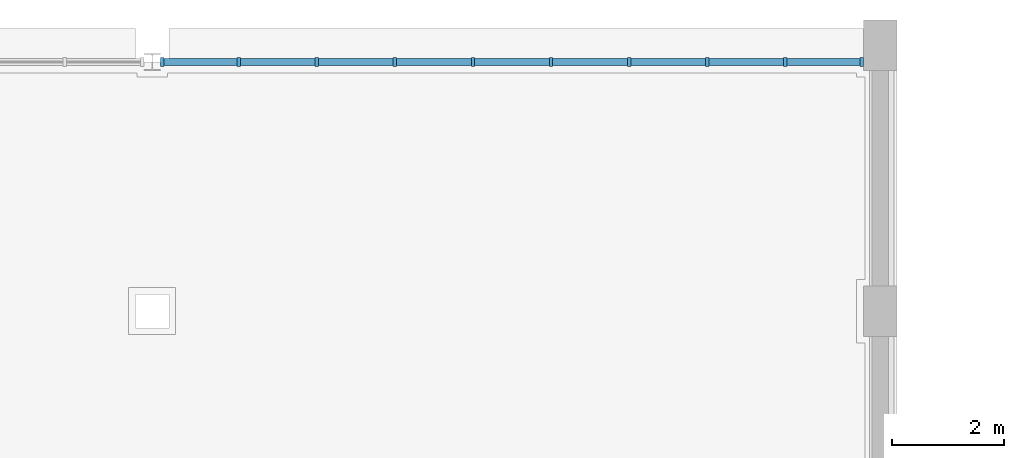
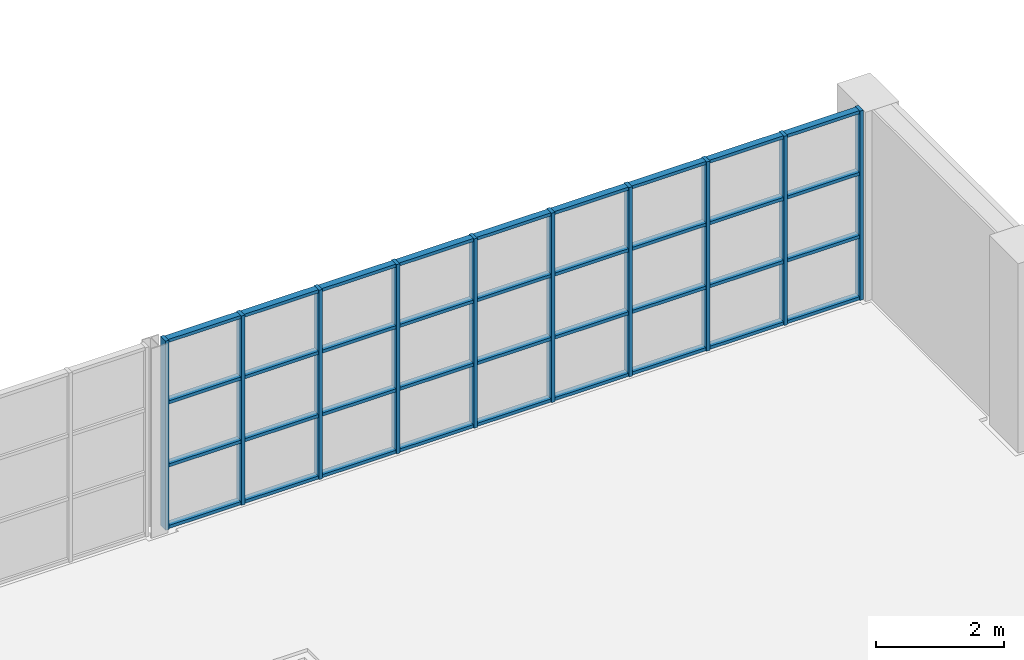
# One storey, part 27 of 82: 46 members, 1 element without a shape of its own.
"""IFC4 building model written with IfcOpenShell, lengths in metres."""

from ifc_helpers import new_model, si_unit, direction, frame, origin, origin_2d, place, context, subcontext, project, spatial, rectangle, extrude, material, material_profile, profile_set, type_object, element, aggregate, save


model = new_model("IFC4")

# Units and contexts
model_context = context("Model", 3, precision=1e-05, world=origin(), true_north=direction((0.0, 1.0)))
body_context = subcontext(model_context, "Body", "Model", "MODEL_VIEW")
ifc_project = project(units=[si_unit("LENGTHUNIT", "METRE"), si_unit("AREAUNIT", "SQUARE_METRE"), si_unit("VOLUMEUNIT", "CUBIC_METRE"), si_unit("PLANEANGLEUNIT", "RADIAN"), si_unit("MASSUNIT", "GRAM", prefix="KILO")], contexts=[model_context])

# Site, building, storey
site_placement = place(None, origin())
site = spatial("IfcSite", under=ifc_project, at=site_placement, CompositionType="ELEMENT")
building_placement = place(site_placement, origin())
building = spatial("IfcBuilding", under=site, at=building_placement, Name="Elbe Cascade School", CompositionType="ELEMENT")
storey_placement = place(building_placement, frame((0.0, 0.0, 4.5)))
storey = spatial("IfcBuildingStorey", under=building, at=storey_placement, Name="L01", CompositionType="ELEMENT", Elevation=4.5)

# Curtain wall, members
ifc_material_1 = material(Name="Glass - double glazed low-E", Category="glass")
curtain_wall_type = type_object("IfcCurtainWallType", Name="Hall gable curtain wall", PredefinedType="NOTDEFINED", material=ifc_material_1)
curtain_wall_placement = place(storey_placement, origin())
curtain_wall = element("IfcCurtainWall", 1, at=curtain_wall_placement, inside=storey, type_object=curtain_wall_type, Name="Gable curtain wall N4", PredefinedType="NOTDEFINED")
ifc_material_2 = material(Name="Aluminium - bronze anodised", Category="aluminium")
ifc_material_profile_1 = material_profile(ifc_material_2, rectangle(XDim=0.159912109375, YDim=0.06005859375, at=origin_2d()), Name="Alu 60x160")
ifc_profile_set_1 = profile_set([ifc_material_profile_1], Name="Aluminium - bronze anodised")
member_type_1 = type_object("IfcMemberType", Name="Hall gable mullion 60x160", PredefinedType="MULLION", material=ifc_profile_set_1)
member_1_placement = place(storey_placement, frame((47.179931640625, 69.199951171875, 0.0), z_axis=(0.0, 0.0, 1.0), x_axis=(0.0, 1.0, 0.0)))
member_1 = element("IfcMember", 2, at=member_1_placement, type_object=member_type_1, Name="CW6 mullion 1", PredefinedType="MULLION", context=body_context, shape_type="SweptSolid", body=[
    extrude(rectangle(XDim=0.159912109375, YDim=0.06005859375, at=origin_2d()), origin(), (0.0, 0.0, 1.0), 3.60009765625),
])
member_2_placement = place(storey_placement, frame((48.54443359375, 69.199951171875, 0.0), z_axis=(0.0, 0.0, 1.0), x_axis=(0.0, 1.0, 0.0)))
member_2 = element("IfcMember", 3, at=member_2_placement, type_object=member_type_1, Name="CW6 mullion 2", PredefinedType="MULLION", context=body_context, shape_type="SweptSolid", body=[
    extrude(rectangle(XDim=0.159912109375, YDim=0.06005859375, at=origin_2d()), origin(), (0.0, 0.0, 1.0), 3.60009765625),
])
member_3_placement = place(storey_placement, frame((49.93896484375, 69.199951171875, 0.0), z_axis=(0.0, 0.0, 1.0), x_axis=(0.0, 1.0, 0.0)))
member_3 = element("IfcMember", 4, at=member_3_placement, type_object=member_type_1, Name="CW6 mullion 3", PredefinedType="MULLION", context=body_context, shape_type="SweptSolid", body=[
    extrude(rectangle(XDim=0.159912109375, YDim=0.06005859375, at=origin_2d()), origin(), (0.0, 0.0, 1.0), 3.60009765625),
])
member_4_placement = place(storey_placement, frame((51.333251953125, 69.199951171875, 0.0), z_axis=(0.0, 0.0, 1.0), x_axis=(0.0, 1.0, 0.0)))
member_4 = element("IfcMember", 5, at=member_4_placement, type_object=member_type_1, Name="CW6 mullion 4", PredefinedType="MULLION", context=body_context, shape_type="SweptSolid", body=[
    extrude(rectangle(XDim=0.159912109375, YDim=0.06005859375, at=origin_2d()), origin(), (0.0, 0.0, 1.0), 3.60009765625),
])
member_5_placement = place(storey_placement, frame((52.727783203125, 69.199951171875, 0.0), z_axis=(0.0, 0.0, 1.0), x_axis=(0.0, 1.0, 0.0)))
member_5 = element("IfcMember", 6, at=member_5_placement, type_object=member_type_1, Name="CW6 mullion 5", PredefinedType="MULLION", context=body_context, shape_type="SweptSolid", body=[
    extrude(rectangle(XDim=0.159912109375, YDim=0.06005859375, at=origin_2d()), origin(), (0.0, 0.0, 1.0), 3.60009765625),
])
member_6_placement = place(storey_placement, frame((54.122314453125, 69.199951171875, 0.0), z_axis=(0.0, 0.0, 1.0), x_axis=(0.0, 1.0, 0.0)))
member_6 = element("IfcMember", 7, at=member_6_placement, type_object=member_type_1, Name="CW6 mullion 6", PredefinedType="MULLION", context=body_context, shape_type="SweptSolid", body=[
    extrude(rectangle(XDim=0.159912109375, YDim=0.06005859375, at=origin_2d()), origin(), (0.0, 0.0, 1.0), 3.60009765625),
])
member_7_placement = place(storey_placement, frame((55.5166015625, 69.199951171875, 0.0), z_axis=(0.0, 0.0, 1.0), x_axis=(0.0, 1.0, 0.0)))
member_7 = element("IfcMember", 8, at=member_7_placement, type_object=member_type_1, Name="CW6 mullion 7", PredefinedType="MULLION", context=body_context, shape_type="SweptSolid", body=[
    extrude(rectangle(XDim=0.159912109375, YDim=0.06005859375, at=origin_2d()), origin(), (0.0, 0.0, 1.0), 3.60009765625),
])
member_8_placement = place(storey_placement, frame((56.9111328125, 69.199951171875, 0.0), z_axis=(0.0, 0.0, 1.0), x_axis=(0.0, 1.0, 0.0)))
member_8 = element("IfcMember", 9, at=member_8_placement, type_object=member_type_1, Name="CW6 mullion 8", PredefinedType="MULLION", context=body_context, shape_type="SweptSolid", body=[
    extrude(rectangle(XDim=0.159912109375, YDim=0.06005859375, at=origin_2d()), origin(), (0.0, 0.0, 1.0), 3.60009765625),
])
member_9_placement = place(storey_placement, frame((58.3056640625, 69.199951171875, 0.0), z_axis=(0.0, 0.0, 1.0), x_axis=(0.0, 1.0, 0.0)))
member_9 = element("IfcMember", 10, at=member_9_placement, type_object=member_type_1, Name="CW6 mullion 9", PredefinedType="MULLION", context=body_context, shape_type="SweptSolid", body=[
    extrude(rectangle(XDim=0.159912109375, YDim=0.06005859375, at=origin_2d()), origin(), (0.0, 0.0, 1.0), 3.60009765625),
])
member_10_placement = place(storey_placement, frame((59.669921875, 69.199951171875, 0.0), z_axis=(0.0, 0.0, 1.0), x_axis=(0.0, 1.0, 0.0)))
member_10 = element("IfcMember", 11, at=member_10_placement, type_object=member_type_1, Name="CW6 mullion 10", PredefinedType="MULLION", context=body_context, shape_type="SweptSolid", body=[
    extrude(rectangle(XDim=0.159912109375, YDim=0.06005859375, at=origin_2d()), origin(), (0.0, 0.0, 1.0), 3.60009765625),
])
ifc_material_3 = material(Name="Aluminium - bronze anodised", Category="aluminium")
ifc_material_profile_2 = material_profile(ifc_material_3, rectangle(XDim=0.1201171875, YDim=0.06005859375, at=origin_2d()), Name="Alu 60x120")
ifc_profile_set_2 = profile_set([ifc_material_profile_2], Name="Aluminium - bronze anodised")
member_type_2 = type_object("IfcMemberType", Name="Hall gable transom 60x120", PredefinedType="USERDEFINED", material=ifc_profile_set_2)
member_11_placement = place(storey_placement, frame((47.2099609375, 69.199951171875, 0.030029296875), z_axis=(1.0, 0.0, 0.0), x_axis=(0.0, 1.0, 0.0)))
member_11 = element("IfcMember", 12, at=member_11_placement, type_object=member_type_2, Name="CW6 transom 1.1", ObjectType="TRANSOM", PredefinedType="USERDEFINED", context=body_context, shape_type="SweptSolid", body=[
    extrude(rectangle(XDim=0.1201171875, YDim=0.06005859375, at=origin_2d()), origin(), (0.0, 0.0, 1.0), 1.304443359375),
])
member_12_placement = place(storey_placement, frame((47.2099609375, 69.199951171875, 1.199951171875), z_axis=(1.0, 0.0, 0.0), x_axis=(0.0, 1.0, 0.0)))
member_12 = element("IfcMember", 13, at=member_12_placement, type_object=member_type_2, Name="CW6 transom 1.2", ObjectType="TRANSOM", PredefinedType="USERDEFINED", context=body_context, shape_type="SweptSolid", body=[
    extrude(rectangle(XDim=0.1201171875, YDim=0.06005859375, at=origin_2d()), origin(), (0.0, 0.0, 1.0), 1.304443359375),
])
member_13_placement = place(storey_placement, frame((47.2099609375, 69.199951171875, 2.39990234375), z_axis=(1.0, 0.0, 0.0), x_axis=(0.0, 1.0, 0.0)))
member_13 = element("IfcMember", 14, at=member_13_placement, type_object=member_type_2, Name="CW6 transom 1.3", ObjectType="TRANSOM", PredefinedType="USERDEFINED", context=body_context, shape_type="SweptSolid", body=[
    extrude(rectangle(XDim=0.1201171875, YDim=0.06005859375, at=origin_2d()), origin(), (0.0, 0.0, 1.0), 1.304443359375),
])
member_14_placement = place(storey_placement, frame((47.2099609375, 69.199951171875, 3.570068359375), z_axis=(1.0, 0.0, 0.0), x_axis=(0.0, 1.0, 0.0)))
member_14 = element("IfcMember", 15, at=member_14_placement, type_object=member_type_2, Name="CW6 transom 1.4", ObjectType="TRANSOM", PredefinedType="USERDEFINED", context=body_context, shape_type="SweptSolid", body=[
    extrude(rectangle(XDim=0.1201171875, YDim=0.06005859375, at=origin_2d()), origin(), (0.0, 0.0, 1.0), 1.304443359375),
])
member_15_placement = place(storey_placement, frame((48.574462890625, 69.199951171875, 0.030029296875), z_axis=(1.0, 0.0, 0.0), x_axis=(0.0, 1.0, 0.0)))
member_15 = element("IfcMember", 16, at=member_15_placement, type_object=member_type_2, Name="CW6 transom 2.1", ObjectType="TRANSOM", PredefinedType="USERDEFINED", context=body_context, shape_type="SweptSolid", body=[
    extrude(rectangle(XDim=0.1201171875, YDim=0.06005859375, at=origin_2d()), origin(), (0.0, 0.0, 1.0), 1.33447265625),
])
member_16_placement = place(storey_placement, frame((48.574462890625, 69.199951171875, 1.199951171875), z_axis=(1.0, 0.0, 0.0), x_axis=(0.0, 1.0, 0.0)))
member_16 = element("IfcMember", 17, at=member_16_placement, type_object=member_type_2, Name="CW6 transom 2.2", ObjectType="TRANSOM", PredefinedType="USERDEFINED", context=body_context, shape_type="SweptSolid", body=[
    extrude(rectangle(XDim=0.1201171875, YDim=0.06005859375, at=origin_2d()), origin(), (0.0, 0.0, 1.0), 1.33447265625),
])
member_17_placement = place(storey_placement, frame((48.574462890625, 69.199951171875, 2.39990234375), z_axis=(1.0, 0.0, 0.0), x_axis=(0.0, 1.0, 0.0)))
member_17 = element("IfcMember", 18, at=member_17_placement, type_object=member_type_2, Name="CW6 transom 2.3", ObjectType="TRANSOM", PredefinedType="USERDEFINED", context=body_context, shape_type="SweptSolid", body=[
    extrude(rectangle(XDim=0.1201171875, YDim=0.06005859375, at=origin_2d()), origin(), (0.0, 0.0, 1.0), 1.33447265625),
])
member_18_placement = place(storey_placement, frame((48.574462890625, 69.199951171875, 3.570068359375), z_axis=(1.0, 0.0, 0.0), x_axis=(0.0, 1.0, 0.0)))
member_18 = element("IfcMember", 19, at=member_18_placement, type_object=member_type_2, Name="CW6 transom 2.4", ObjectType="TRANSOM", PredefinedType="USERDEFINED", context=body_context, shape_type="SweptSolid", body=[
    extrude(rectangle(XDim=0.1201171875, YDim=0.06005859375, at=origin_2d()), origin(), (0.0, 0.0, 1.0), 1.33447265625),
])
member_19_placement = place(storey_placement, frame((49.968994140625, 69.199951171875, 0.030029296875), z_axis=(1.0, 0.0, 0.0), x_axis=(0.0, 1.0, 0.0)))
member_19 = element("IfcMember", 20, at=member_19_placement, type_object=member_type_2, Name="CW6 transom 3.1", ObjectType="TRANSOM", PredefinedType="USERDEFINED", context=body_context, shape_type="SweptSolid", body=[
    extrude(rectangle(XDim=0.1201171875, YDim=0.06005859375, at=origin_2d()), origin(), (0.0, 0.0, 1.0), 1.334228515625),
])
member_20_placement = place(storey_placement, frame((49.968994140625, 69.199951171875, 1.199951171875), z_axis=(1.0, 0.0, 0.0), x_axis=(0.0, 1.0, 0.0)))
member_20 = element("IfcMember", 21, at=member_20_placement, type_object=member_type_2, Name="CW6 transom 3.2", ObjectType="TRANSOM", PredefinedType="USERDEFINED", context=body_context, shape_type="SweptSolid", body=[
    extrude(rectangle(XDim=0.1201171875, YDim=0.06005859375, at=origin_2d()), origin(), (0.0, 0.0, 1.0), 1.334228515625),
])
member_21_placement = place(storey_placement, frame((49.968994140625, 69.199951171875, 2.39990234375), z_axis=(1.0, 0.0, 0.0), x_axis=(0.0, 1.0, 0.0)))
member_21 = element("IfcMember", 22, at=member_21_placement, type_object=member_type_2, Name="CW6 transom 3.3", ObjectType="TRANSOM", PredefinedType="USERDEFINED", context=body_context, shape_type="SweptSolid", body=[
    extrude(rectangle(XDim=0.1201171875, YDim=0.06005859375, at=origin_2d()), origin(), (0.0, 0.0, 1.0), 1.334228515625),
])
member_22_placement = place(storey_placement, frame((49.968994140625, 69.199951171875, 3.570068359375), z_axis=(1.0, 0.0, 0.0), x_axis=(0.0, 1.0, 0.0)))
member_22 = element("IfcMember", 23, at=member_22_placement, type_object=member_type_2, Name="CW6 transom 3.4", ObjectType="TRANSOM", PredefinedType="USERDEFINED", context=body_context, shape_type="SweptSolid", body=[
    extrude(rectangle(XDim=0.1201171875, YDim=0.06005859375, at=origin_2d()), origin(), (0.0, 0.0, 1.0), 1.334228515625),
])
member_23_placement = place(storey_placement, frame((51.36328125, 69.199951171875, 0.030029296875), z_axis=(1.0, 0.0, 0.0), x_axis=(0.0, 1.0, 0.0)))
member_23 = element("IfcMember", 24, at=member_23_placement, type_object=member_type_2, Name="CW6 transom 4.1", ObjectType="TRANSOM", PredefinedType="USERDEFINED", context=body_context, shape_type="SweptSolid", body=[
    extrude(rectangle(XDim=0.1201171875, YDim=0.06005859375, at=origin_2d()), origin(), (0.0, 0.0, 1.0), 1.33447265625),
])
member_24_placement = place(storey_placement, frame((51.36328125, 69.199951171875, 1.199951171875), z_axis=(1.0, 0.0, 0.0), x_axis=(0.0, 1.0, 0.0)))
member_24 = element("IfcMember", 25, at=member_24_placement, type_object=member_type_2, Name="CW6 transom 4.2", ObjectType="TRANSOM", PredefinedType="USERDEFINED", context=body_context, shape_type="SweptSolid", body=[
    extrude(rectangle(XDim=0.1201171875, YDim=0.06005859375, at=origin_2d()), origin(), (0.0, 0.0, 1.0), 1.33447265625),
])
member_25_placement = place(storey_placement, frame((51.36328125, 69.199951171875, 2.39990234375), z_axis=(1.0, 0.0, 0.0), x_axis=(0.0, 1.0, 0.0)))
member_25 = element("IfcMember", 26, at=member_25_placement, type_object=member_type_2, Name="CW6 transom 4.3", ObjectType="TRANSOM", PredefinedType="USERDEFINED", context=body_context, shape_type="SweptSolid", body=[
    extrude(rectangle(XDim=0.1201171875, YDim=0.06005859375, at=origin_2d()), origin(), (0.0, 0.0, 1.0), 1.33447265625),
])
member_26_placement = place(storey_placement, frame((51.36328125, 69.199951171875, 3.570068359375), z_axis=(1.0, 0.0, 0.0), x_axis=(0.0, 1.0, 0.0)))
member_26 = element("IfcMember", 27, at=member_26_placement, type_object=member_type_2, Name="CW6 transom 4.4", ObjectType="TRANSOM", PredefinedType="USERDEFINED", context=body_context, shape_type="SweptSolid", body=[
    extrude(rectangle(XDim=0.1201171875, YDim=0.06005859375, at=origin_2d()), origin(), (0.0, 0.0, 1.0), 1.33447265625),
])
member_27_placement = place(storey_placement, frame((52.7578125, 69.199951171875, 0.030029296875), z_axis=(1.0, 0.0, 0.0), x_axis=(0.0, 1.0, 0.0)))
member_27 = element("IfcMember", 28, at=member_27_placement, type_object=member_type_2, Name="CW6 transom 5.1", ObjectType="TRANSOM", PredefinedType="USERDEFINED", context=body_context, shape_type="SweptSolid", body=[
    extrude(rectangle(XDim=0.1201171875, YDim=0.06005859375, at=origin_2d()), origin(), (0.0, 0.0, 1.0), 1.33447265625),
])
member_28_placement = place(storey_placement, frame((52.7578125, 69.199951171875, 1.199951171875), z_axis=(1.0, 0.0, 0.0), x_axis=(0.0, 1.0, 0.0)))
member_28 = element("IfcMember", 29, at=member_28_placement, type_object=member_type_2, Name="CW6 transom 5.2", ObjectType="TRANSOM", PredefinedType="USERDEFINED", context=body_context, shape_type="SweptSolid", body=[
    extrude(rectangle(XDim=0.1201171875, YDim=0.06005859375, at=origin_2d()), origin(), (0.0, 0.0, 1.0), 1.33447265625),
])
member_29_placement = place(storey_placement, frame((52.7578125, 69.199951171875, 2.39990234375), z_axis=(1.0, 0.0, 0.0), x_axis=(0.0, 1.0, 0.0)))
member_29 = element("IfcMember", 30, at=member_29_placement, type_object=member_type_2, Name="CW6 transom 5.3", ObjectType="TRANSOM", PredefinedType="USERDEFINED", context=body_context, shape_type="SweptSolid", body=[
    extrude(rectangle(XDim=0.1201171875, YDim=0.06005859375, at=origin_2d()), origin(), (0.0, 0.0, 1.0), 1.33447265625),
])
member_30_placement = place(storey_placement, frame((52.7578125, 69.199951171875, 3.570068359375), z_axis=(1.0, 0.0, 0.0), x_axis=(0.0, 1.0, 0.0)))
member_30 = element("IfcMember", 31, at=member_30_placement, type_object=member_type_2, Name="CW6 transom 5.4", ObjectType="TRANSOM", PredefinedType="USERDEFINED", context=body_context, shape_type="SweptSolid", body=[
    extrude(rectangle(XDim=0.1201171875, YDim=0.06005859375, at=origin_2d()), origin(), (0.0, 0.0, 1.0), 1.33447265625),
])
member_31_placement = place(storey_placement, frame((54.15234375, 69.199951171875, 0.030029296875), z_axis=(1.0, 0.0, 0.0), x_axis=(0.0, 1.0, 0.0)))
member_31 = element("IfcMember", 32, at=member_31_placement, type_object=member_type_2, Name="CW6 transom 6.1", ObjectType="TRANSOM", PredefinedType="USERDEFINED", context=body_context, shape_type="SweptSolid", body=[
    extrude(rectangle(XDim=0.1201171875, YDim=0.06005859375, at=origin_2d()), origin(), (0.0, 0.0, 1.0), 1.334228515625),
])
member_32_placement = place(storey_placement, frame((54.15234375, 69.199951171875, 1.199951171875), z_axis=(1.0, 0.0, 0.0), x_axis=(0.0, 1.0, 0.0)))
member_32 = element("IfcMember", 33, at=member_32_placement, type_object=member_type_2, Name="CW6 transom 6.2", ObjectType="TRANSOM", PredefinedType="USERDEFINED", context=body_context, shape_type="SweptSolid", body=[
    extrude(rectangle(XDim=0.1201171875, YDim=0.06005859375, at=origin_2d()), origin(), (0.0, 0.0, 1.0), 1.334228515625),
])
member_33_placement = place(storey_placement, frame((54.15234375, 69.199951171875, 2.39990234375), z_axis=(1.0, 0.0, 0.0), x_axis=(0.0, 1.0, 0.0)))
member_33 = element("IfcMember", 34, at=member_33_placement, type_object=member_type_2, Name="CW6 transom 6.3", ObjectType="TRANSOM", PredefinedType="USERDEFINED", context=body_context, shape_type="SweptSolid", body=[
    extrude(rectangle(XDim=0.1201171875, YDim=0.06005859375, at=origin_2d()), origin(), (0.0, 0.0, 1.0), 1.334228515625),
])
member_34_placement = place(storey_placement, frame((54.15234375, 69.199951171875, 3.570068359375), z_axis=(1.0, 0.0, 0.0), x_axis=(0.0, 1.0, 0.0)))
member_34 = element("IfcMember", 35, at=member_34_placement, type_object=member_type_2, Name="CW6 transom 6.4", ObjectType="TRANSOM", PredefinedType="USERDEFINED", context=body_context, shape_type="SweptSolid", body=[
    extrude(rectangle(XDim=0.1201171875, YDim=0.06005859375, at=origin_2d()), origin(), (0.0, 0.0, 1.0), 1.334228515625),
])
member_35_placement = place(storey_placement, frame((55.546630859375, 69.199951171875, 0.030029296875), z_axis=(1.0, 0.0, 0.0), x_axis=(0.0, 1.0, 0.0)))
member_35 = element("IfcMember", 36, at=member_35_placement, type_object=member_type_2, Name="CW6 transom 7.1", ObjectType="TRANSOM", PredefinedType="USERDEFINED", context=body_context, shape_type="SweptSolid", body=[
    extrude(rectangle(XDim=0.1201171875, YDim=0.06005859375, at=origin_2d()), origin(), (0.0, 0.0, 1.0), 1.33447265625),
])
member_36_placement = place(storey_placement, frame((55.546630859375, 69.199951171875, 1.199951171875), z_axis=(1.0, 0.0, 0.0), x_axis=(0.0, 1.0, 0.0)))
member_36 = element("IfcMember", 37, at=member_36_placement, type_object=member_type_2, Name="CW6 transom 7.2", ObjectType="TRANSOM", PredefinedType="USERDEFINED", context=body_context, shape_type="SweptSolid", body=[
    extrude(rectangle(XDim=0.1201171875, YDim=0.06005859375, at=origin_2d()), origin(), (0.0, 0.0, 1.0), 1.33447265625),
])
member_37_placement = place(storey_placement, frame((55.546630859375, 69.199951171875, 2.39990234375), z_axis=(1.0, 0.0, 0.0), x_axis=(0.0, 1.0, 0.0)))
member_37 = element("IfcMember", 38, at=member_37_placement, type_object=member_type_2, Name="CW6 transom 7.3", ObjectType="TRANSOM", PredefinedType="USERDEFINED", context=body_context, shape_type="SweptSolid", body=[
    extrude(rectangle(XDim=0.1201171875, YDim=0.06005859375, at=origin_2d()), origin(), (0.0, 0.0, 1.0), 1.33447265625),
])
member_38_placement = place(storey_placement, frame((55.546630859375, 69.199951171875, 3.570068359375), z_axis=(1.0, 0.0, 0.0), x_axis=(0.0, 1.0, 0.0)))
member_38 = element("IfcMember", 39, at=member_38_placement, type_object=member_type_2, Name="CW6 transom 7.4", ObjectType="TRANSOM", PredefinedType="USERDEFINED", context=body_context, shape_type="SweptSolid", body=[
    extrude(rectangle(XDim=0.1201171875, YDim=0.06005859375, at=origin_2d()), origin(), (0.0, 0.0, 1.0), 1.33447265625),
])
member_39_placement = place(storey_placement, frame((56.941162109375, 69.199951171875, 0.030029296875), z_axis=(1.0, 0.0, 0.0), x_axis=(0.0, 1.0, 0.0)))
member_39 = element("IfcMember", 40, at=member_39_placement, type_object=member_type_2, Name="CW6 transom 8.1", ObjectType="TRANSOM", PredefinedType="USERDEFINED", context=body_context, shape_type="SweptSolid", body=[
    extrude(rectangle(XDim=0.1201171875, YDim=0.06005859375, at=origin_2d()), origin(), (0.0, 0.0, 1.0), 1.33447265625),
])
member_40_placement = place(storey_placement, frame((56.941162109375, 69.199951171875, 1.199951171875), z_axis=(1.0, 0.0, 0.0), x_axis=(0.0, 1.0, 0.0)))
member_40 = element("IfcMember", 41, at=member_40_placement, type_object=member_type_2, Name="CW6 transom 8.2", ObjectType="TRANSOM", PredefinedType="USERDEFINED", context=body_context, shape_type="SweptSolid", body=[
    extrude(rectangle(XDim=0.1201171875, YDim=0.06005859375, at=origin_2d()), origin(), (0.0, 0.0, 1.0), 1.33447265625),
])
member_41_placement = place(storey_placement, frame((56.941162109375, 69.199951171875, 2.39990234375), z_axis=(1.0, 0.0, 0.0), x_axis=(0.0, 1.0, 0.0)))
member_41 = element("IfcMember", 42, at=member_41_placement, type_object=member_type_2, Name="CW6 transom 8.3", ObjectType="TRANSOM", PredefinedType="USERDEFINED", context=body_context, shape_type="SweptSolid", body=[
    extrude(rectangle(XDim=0.1201171875, YDim=0.06005859375, at=origin_2d()), origin(), (0.0, 0.0, 1.0), 1.33447265625),
])
member_42_placement = place(storey_placement, frame((56.941162109375, 69.199951171875, 3.570068359375), z_axis=(1.0, 0.0, 0.0), x_axis=(0.0, 1.0, 0.0)))
member_42 = element("IfcMember", 43, at=member_42_placement, type_object=member_type_2, Name="CW6 transom 8.4", ObjectType="TRANSOM", PredefinedType="USERDEFINED", context=body_context, shape_type="SweptSolid", body=[
    extrude(rectangle(XDim=0.1201171875, YDim=0.06005859375, at=origin_2d()), origin(), (0.0, 0.0, 1.0), 1.33447265625),
])
member_43_placement = place(storey_placement, frame((58.33544921875, 69.199951171875, 0.030029296875), z_axis=(1.0, 0.0, 0.0), x_axis=(0.0, 1.0, 0.0)))
member_43 = element("IfcMember", 44, at=member_43_placement, type_object=member_type_2, Name="CW6 transom 9.1", ObjectType="TRANSOM", PredefinedType="USERDEFINED", context=body_context, shape_type="SweptSolid", body=[
    extrude(rectangle(XDim=0.1201171875, YDim=0.06005859375, at=origin_2d()), origin(), (0.0, 0.0, 1.0), 1.304443359375),
])
member_44_placement = place(storey_placement, frame((58.33544921875, 69.199951171875, 1.199951171875), z_axis=(1.0, 0.0, 0.0), x_axis=(0.0, 1.0, 0.0)))
member_44 = element("IfcMember", 45, at=member_44_placement, type_object=member_type_2, Name="CW6 transom 9.2", ObjectType="TRANSOM", PredefinedType="USERDEFINED", context=body_context, shape_type="SweptSolid", body=[
    extrude(rectangle(XDim=0.1201171875, YDim=0.06005859375, at=origin_2d()), origin(), (0.0, 0.0, 1.0), 1.304443359375),
])
member_45_placement = place(storey_placement, frame((58.33544921875, 69.199951171875, 2.39990234375), z_axis=(1.0, 0.0, 0.0), x_axis=(0.0, 1.0, 0.0)))
member_45 = element("IfcMember", 46, at=member_45_placement, type_object=member_type_2, Name="CW6 transom 9.3", ObjectType="TRANSOM", PredefinedType="USERDEFINED", context=body_context, shape_type="SweptSolid", body=[
    extrude(rectangle(XDim=0.1201171875, YDim=0.06005859375, at=origin_2d()), origin(), (0.0, 0.0, 1.0), 1.304443359375),
])
member_46_placement = place(storey_placement, frame((58.33544921875, 69.199951171875, 3.570068359375), z_axis=(1.0, 0.0, 0.0), x_axis=(0.0, 1.0, 0.0)))
member_46 = element("IfcMember", 47, at=member_46_placement, type_object=member_type_2, Name="CW6 transom 9.4", ObjectType="TRANSOM", PredefinedType="USERDEFINED", context=body_context, shape_type="SweptSolid", body=[
    extrude(rectangle(XDim=0.1201171875, YDim=0.06005859375, at=origin_2d()), origin(), (0.0, 0.0, 1.0), 1.304443359375),
])
aggregate(curtain_wall, [member_1, member_2, member_3, member_4, member_5, member_6, member_7, member_8, member_9, member_10, member_11, member_12, member_13, member_14, member_15, member_16, member_17, member_18, member_19, member_20, member_21, member_22, member_23, member_24, member_25, member_26, member_27, member_28, member_29, member_30, member_31, member_32, member_33, member_34, member_35, member_36, member_37, member_38, member_39, member_40, member_41, member_42, member_43, member_44, member_45, member_46])

save(model, "model.ifc")
